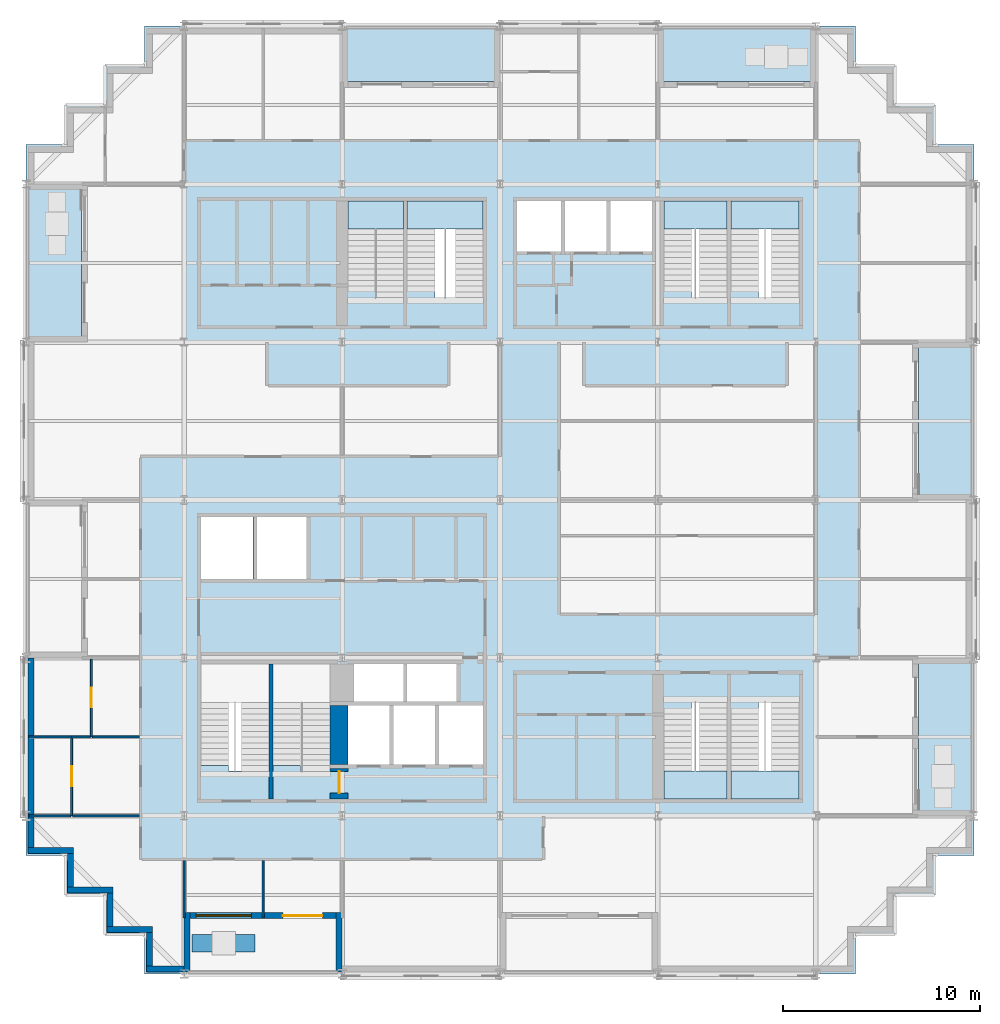
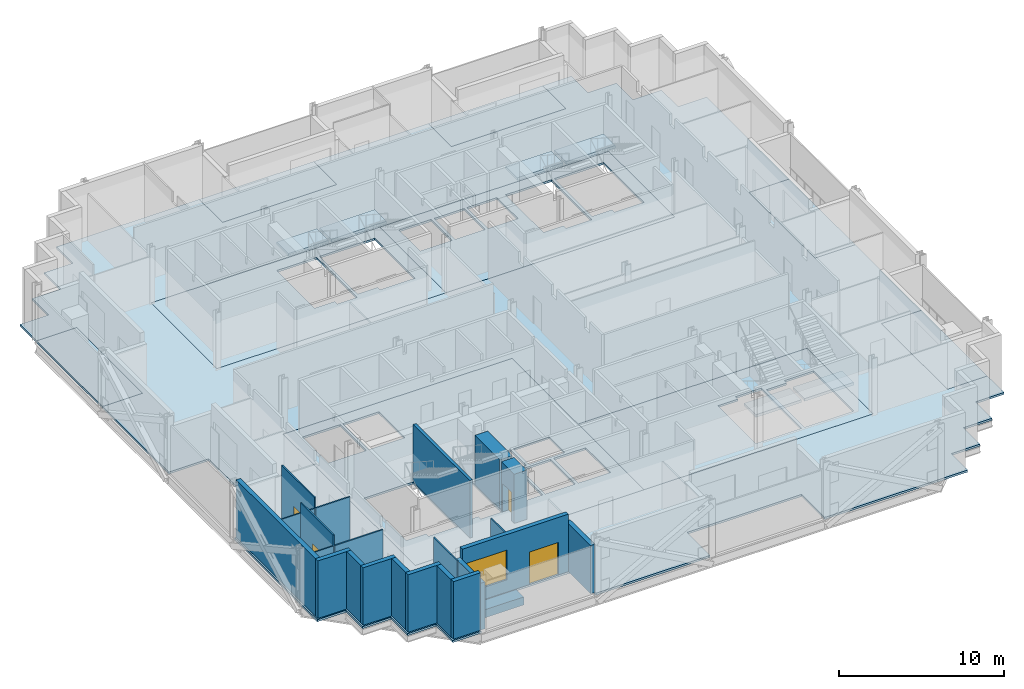
# One storey, part 5 of 15: 24 walls, 16 slabs, 4 doors, 1 window, 5 openings, 6 elements without a shape of their own.
"""IFC4 building model written with IfcOpenShell, lengths in metres."""

from ifc_helpers import new_model, si_unit, direction, frame, frame_2d, origin, place, context, subcontext, project, spatial, polyline, rectangle, outline, extrude, material, layer, layer_set, type_object, element, fill, aggregate, save


model = new_model("IFC4")

# Units and contexts
model_context = context("Model", 3, precision=1e-05, world=origin(), true_north=direction((0.0, 1.0)))
body_context = subcontext(model_context, "Body", "Model", "MODEL_VIEW")
ifc_project = project(units=[si_unit("LENGTHUNIT", "METRE"), si_unit("AREAUNIT", "SQUARE_METRE"), si_unit("VOLUMEUNIT", "CUBIC_METRE"), si_unit("PLANEANGLEUNIT", "RADIAN"), si_unit("MASSUNIT", "GRAM", prefix="KILO")], contexts=[model_context])

# Site, building, storey
site_placement = place(None, origin())
site = spatial("IfcSite", under=ifc_project, at=site_placement, CompositionType="ELEMENT")
building_placement = place(site_placement, origin())
building = spatial("IfcBuilding", under=site, at=building_placement, Name="Immortelle Media Tower", CompositionType="ELEMENT")
storey_placement = place(building_placement, frame((0.0, 0.0, 100.800048828125)))
storey = spatial("IfcBuildingStorey", under=building, at=storey_placement, Name="L19", CompositionType="ELEMENT", Elevation=100.800048828125)

# Slabs
ifc_material_1 = material(Name="Concrete C50/60 composite deck", Category="concrete")
ifc_layer_1 = layer(ifc_material_1, 0.14990234375)
ifc_layer_set_1 = layer_set([ifc_layer_1], Name="Concrete C50/60 composite deck")
slab_type_1 = type_object("IfcSlabType", Name="Balcony slab 150", PredefinedType="FLOOR", material=ifc_layer_set_1)
slab_1_placement = place(storey_placement, frame((0.0, 0.0, -0.150146484375)))
element("IfcSlab", 1, at=slab_1_placement, inside=storey, type_object=slab_type_1, Name="Balcony slab L19 W0", PredefinedType="FLOOR", context=body_context, shape_type="SweptSolid", body=[
    extrude(outline(polyline([(2.800048828125, 32.0), (2.800048828125, 40.0), (0.0, 40.0), (0.0, 32.0), (2.800048828125, 32.0)])), origin(), (0.0, 0.0, 1.0), 0.150146484375),
])
slab_2_placement = place(storey_placement, frame((0.0, 0.0, -0.150146484375)))
element("IfcSlab", 2, at=slab_2_placement, inside=storey, type_object=slab_type_1, Name="Balcony slab L19 E0", PredefinedType="FLOOR", context=body_context, shape_type="SweptSolid", body=[
    extrude(outline(polyline([(48.0, 8.0), (48.0, 16.0), (45.199951171875, 16.0), (45.199951171875, 8.0), (48.0, 8.0)])), origin(), (0.0, 0.0, 1.0), 0.150146484375),
])
slab_3_placement = place(storey_placement, frame((0.0, 0.0, -0.150146484375)))
element("IfcSlab", 3, at=slab_3_placement, inside=storey, type_object=slab_type_1, Name="Balcony slab L19 E2", PredefinedType="FLOOR", context=body_context, shape_type="SweptSolid", body=[
    extrude(outline(polyline([(48.0, 24.0), (48.0, 32.0), (45.199951171875, 32.0), (45.199951171875, 24.0), (48.0, 24.0)])), origin(), (0.0, 0.0, 1.0), 0.150146484375),
])
slab_4_placement = place(storey_placement, frame((0.0, 0.0, -0.150146484375)))
element("IfcSlab", 4, at=slab_4_placement, inside=storey, type_object=slab_type_1, Name="Balcony slab L19 N0", PredefinedType="FLOOR", context=body_context, shape_type="SweptSolid", body=[
    extrude(outline(polyline([(40.0, 45.199951171875), (40.0, 48.0), (32.0, 48.0), (32.0, 45.199951171875), (40.0, 45.199951171875)])), origin(), (0.0, 0.0, 1.0), 0.150146484375),
])
slab_5_placement = place(storey_placement, frame((0.0, 0.0, -0.150146484375)))
element("IfcSlab", 5, at=slab_5_placement, inside=storey, type_object=slab_type_1, Name="Balcony slab L19 N2", PredefinedType="FLOOR", context=body_context, shape_type="SweptSolid", body=[
    extrude(outline(polyline([(24.0, 45.199951171875), (24.0, 48.0), (16.0, 48.0), (16.0, 45.199951171875), (24.0, 45.199951171875)])), origin(), (0.0, 0.0, 1.0), 0.150146484375),
])
ifc_material_2 = material(Name="Concrete C50/60", Category="concrete")
ifc_layer_2 = layer(ifc_material_2, 0.14990234375)
ifc_layer_set_2 = layer_set([ifc_layer_2], Name="Concrete C50/60")
slab_type_2 = type_object("IfcSlabType", Name="Composite floor slab 150", PredefinedType="FLOOR", material=ifc_layer_set_2)
slab_6_placement = place(storey_placement, frame((0.0, 0.0, -0.150146484375)))
element("IfcSlab", 6, at=slab_6_placement, inside=storey, type_object=slab_type_2, Name="Floor slab L19", PredefinedType="FLOOR", context=body_context, shape_type="SweptSolid", body=[
    extrude(outline(polyline([(6.0, 0.0), (6.0, 2.0), (4.0, 2.0), (4.0, 4.0), (2.0, 4.0), (2.0, 6.0), (0.0, 6.0), (0.0, 16.0), (2.800048828125, 16.0), (2.800048828125, 24.0), (0.0, 24.0), (0.0, 32.0), (2.800048828125, 32.0), (2.800048828125, 40.0), (0.0, 40.0), (0.0, 42.0), (2.0, 42.0), (2.0, 44.0), (4.0, 44.0), (4.0, 46.0), (6.0, 46.0), (6.0, 48.0), (16.0, 48.0), (16.0, 45.199951171875), (24.0, 45.199951171875), (24.0, 48.0), (32.0, 48.0), (32.0, 45.199951171875), (40.0, 45.199951171875), (40.0, 48.0), (42.0, 48.0), (42.0, 46.0), (44.0, 46.0), (44.0, 44.0), (46.0, 44.0), (46.0, 42.0), (48.0, 42.0), (48.0, 32.0), (45.199951171875, 32.0), (45.199951171875, 24.0), (48.0, 24.0), (48.0, 16.0), (45.199951171875, 16.0), (45.199951171875, 8.0), (48.0, 8.0), (48.0, 6.0), (46.0, 6.0), (46.0, 4.0), (44.0, 4.0), (44.0, 2.0), (42.0, 2.0), (42.0, 0.0), (32.0, 0.0), (32.0, 2.800048828125), (24.0, 2.800048828125), (24.0, 0.0), (16.0, 0.0), (16.0, 2.800048828125), (8.0, 2.800048828125), (8.0, 0.0), (6.0, 0.0)]), holes=[polyline([(24.0, 24.0), (8.0, 24.0), (8.0, 8.0), (24.0, 8.0), (40.0, 8.0), (40.0, 16.0), (24.0, 16.0), (24.0, 24.0)]), polyline([(24.0, 32.0), (40.0, 32.0), (40.0, 40.0), (24.0, 40.0), (8.0, 40.0), (8.0, 32.0), (24.0, 32.0)])]), origin(), (0.0, 0.0, 1.0), 0.150146484375),
])
ifc_layer_3 = layer(ifc_material_2, 0.14990234375)
ifc_layer_set_3 = layer_set([ifc_layer_3], Name="Concrete C50/60")
slab_type_3 = type_object("IfcSlabType", Name="Core floor slab 150", PredefinedType="FLOOR", material=ifc_layer_set_3)
slab_7_placement = place(storey_placement, frame((0.0, 0.0, -0.150146484375)))
element("IfcSlab", 7, at=slab_7_placement, inside=storey, type_object=slab_type_3, Name="Core floor SW", PredefinedType="FLOOR", context=body_context, shape_type="SweptSolid", body=[
    extrude(outline(polyline([(8.0, 8.0), (24.0, 8.0), (24.0, 24.0), (8.0, 24.0), (8.0, 8.0)]), holes=[polyline([(8.85009765625, 20.0), (11.5, 20.0), (11.5, 23.14990234375), (8.85009765625, 23.14990234375), (8.85009765625, 20.0)]), polyline([(11.699951171875, 20.0), (14.199951171875, 20.0), (14.199951171875, 23.14990234375), (11.699951171875, 23.14990234375), (11.699951171875, 20.0)]), polyline([(16.60009765625, 13.800048828125), (19.10009765625, 13.800048828125), (19.10009765625, 15.699951171875), (16.60009765625, 15.699951171875), (16.60009765625, 13.800048828125)]), polyline([(19.300048828125, 13.800048828125), (21.800048828125, 13.800048828125), (21.800048828125, 15.699951171875), (19.300048828125, 15.699951171875), (19.300048828125, 13.800048828125)]), polyline([(16.300048828125, 10.60009765625), (18.39990234375, 10.60009765625), (18.39990234375, 13.60009765625), (16.300048828125, 13.60009765625), (16.300048828125, 10.60009765625)]), polyline([(18.60009765625, 10.60009765625), (20.699951171875, 10.60009765625), (20.699951171875, 13.60009765625), (18.60009765625, 13.60009765625), (18.60009765625, 10.60009765625)]), polyline([(20.89990234375, 10.60009765625), (23.14990234375, 10.60009765625), (23.14990234375, 13.60009765625), (20.89990234375, 13.60009765625), (20.89990234375, 10.60009765625)]), polyline([(8.85009765625, 15.699951171875), (12.300048828125, 15.699951171875), (12.300048828125, 10.27001953125), (10.25, 10.27001953125), (10.25, 10.56005859375), (8.85009765625, 10.56005859375), (8.85009765625, 15.699951171875)]), polyline([(12.5, 15.699951171875), (15.39990234375, 15.699951171875), (15.39990234375, 10.27001953125), (13.89990234375, 10.27001953125), (13.89990234375, 10.56005859375), (12.5, 10.56005859375), (12.5, 15.699951171875)])]), origin(), (0.0, 0.0, 1.0), 0.150146484375),
])
slab_8_placement = place(storey_placement, frame((0.0, 0.0, -0.150146484375)))
element("IfcSlab", 8, at=slab_8_placement, inside=storey, type_object=slab_type_3, Name="Core floor SE", PredefinedType="FLOOR", context=body_context, shape_type="SweptSolid", body=[
    extrude(outline(polyline([(24.0, 8.0), (40.0, 8.0), (40.0, 16.0), (24.0, 16.0), (24.0, 8.0)]), holes=[polyline([(35.5, 13.72998046875), (35.5, 8.85009765625), (32.300048828125, 8.85009765625), (32.300048828125, 13.43994140625), (33.699951171875, 13.43994140625), (33.699951171875, 13.72998046875), (35.5, 13.72998046875)]), polyline([(39.14990234375, 13.72998046875), (39.14990234375, 8.85009765625), (35.699951171875, 8.85009765625), (35.699951171875, 13.43994140625), (37.10009765625, 13.43994140625), (37.10009765625, 13.72998046875), (39.14990234375, 13.72998046875)])]), origin(), (0.0, 0.0, 1.0), 0.150146484375),
])
slab_9_placement = place(storey_placement, frame((0.0, 0.0, -0.150146484375)))
element("IfcSlab", 9, at=slab_9_placement, inside=storey, type_object=slab_type_3, Name="Core floor NW", PredefinedType="FLOOR", context=body_context, shape_type="SweptSolid", body=[
    extrude(outline(polyline([(8.0, 32.0), (24.0, 32.0), (24.0, 40.0), (8.0, 40.0), (8.0, 32.0)]), holes=[polyline([(16.300048828125, 39.14990234375), (19.10009765625, 39.14990234375), (19.10009765625, 34.27001953125), (17.699951171875, 34.27001953125), (17.699951171875, 34.56005859375), (16.300048828125, 34.56005859375), (16.300048828125, 39.14990234375)]), polyline([(19.300048828125, 39.14990234375), (23.14990234375, 39.14990234375), (23.14990234375, 34.27001953125), (20.699951171875, 34.27001953125), (20.699951171875, 34.56005859375), (19.300048828125, 34.56005859375), (19.300048828125, 39.14990234375)])]), origin(), (0.0, 0.0, 1.0), 0.150146484375),
])
slab_10_placement = place(storey_placement, frame((0.0, 0.0, -0.150146484375)))
element("IfcSlab", 10, at=slab_10_placement, inside=storey, type_object=slab_type_3, Name="Core floor NE", PredefinedType="FLOOR", context=body_context, shape_type="SweptSolid", body=[
    extrude(outline(polyline([(24.0, 32.0), (40.0, 32.0), (40.0, 40.0), (24.0, 40.0), (24.0, 32.0)]), holes=[polyline([(24.85009765625, 36.60009765625), (27.10009765625, 36.60009765625), (27.10009765625, 39.14990234375), (24.85009765625, 39.14990234375), (24.85009765625, 36.60009765625)]), polyline([(27.300048828125, 36.60009765625), (29.39990234375, 36.60009765625), (29.39990234375, 39.14990234375), (27.300048828125, 39.14990234375), (27.300048828125, 36.60009765625)]), polyline([(29.60009765625, 36.60009765625), (31.699951171875, 36.60009765625), (31.699951171875, 39.14990234375), (29.60009765625, 39.14990234375), (29.60009765625, 36.60009765625)]), polyline([(32.300048828125, 39.14990234375), (35.5, 39.14990234375), (35.5, 34.27001953125), (33.699951171875, 34.27001953125), (33.699951171875, 34.56005859375), (32.300048828125, 34.56005859375), (32.300048828125, 39.14990234375)]), polyline([(35.699951171875, 39.14990234375), (39.14990234375, 39.14990234375), (39.14990234375, 34.27001953125), (37.10009765625, 34.27001953125), (37.10009765625, 34.56005859375), (35.699951171875, 34.56005859375), (35.699951171875, 39.14990234375)])]), origin(), (0.0, 0.0, 1.0), 0.150146484375),
])

# Stair, slab
ifc_material_3 = material(Name="Steel ASTM A992 Gr 50", Category="steel")
stair_type = type_object("IfcStairType", Name="Stair with flights", PredefinedType="DOUBLE_RETURN_STAIR", material=ifc_material_3)
stair_1_placement = place(storey_placement, origin())
stair_1 = element("IfcStair", 11, at=stair_1_placement, inside=storey, type_object=stair_type, Name="Exit stair SE1", PredefinedType="DOUBLE_RETURN_STAIR")
ifc_material_4 = material(Name="Steel ASTM A572 Gr 50", Category="steel")
ifc_layer_4 = layer(ifc_material_4, 0.199951171875)
ifc_layer_set_4 = layer_set([ifc_layer_4], Name="Steel ASTM A572 Gr 50")
slab_type_4 = type_object("IfcSlabType", Name="Stair landing 200", PredefinedType="LANDING", material=ifc_layer_set_4)
slab_11_placement = place(storey_placement, frame((0.0, 0.0, 1.911865234375)))
slab_11 = element("IfcSlab", 12, at=slab_11_placement, type_object=slab_type_4, Name="ST SE1 landing 1", PredefinedType="LANDING", context=body_context, shape_type="SweptSolid", body=[
    extrude(outline(polyline([(32.300048828125, 8.85009765625), (35.5, 8.85009765625), (35.5, 10.27001953125), (32.300048828125, 10.27001953125), (32.300048828125, 8.85009765625)])), origin(), (0.0, 0.0, 1.0), 0.2001953125),
])
aggregate(stair_1, [slab_11])

stair_2_placement = place(storey_placement, origin())
stair_2 = element("IfcStair", 13, at=stair_2_placement, inside=storey, type_object=stair_type, Name="Exit stair SE2", PredefinedType="DOUBLE_RETURN_STAIR")
slab_12_placement = place(storey_placement, frame((0.0, 0.0, 1.911865234375)))
slab_12 = element("IfcSlab", 14, at=slab_12_placement, type_object=slab_type_4, Name="ST SE2 landing 1", PredefinedType="LANDING", context=body_context, shape_type="SweptSolid", body=[
    extrude(outline(polyline([(35.699951171875, 8.85009765625), (39.14990234375, 8.85009765625), (39.14990234375, 10.27001953125), (35.699951171875, 10.27001953125), (35.699951171875, 8.85009765625)])), origin(), (0.0, 0.0, 1.0), 0.2001953125),
])
aggregate(stair_2, [slab_12])

stair_3_placement = place(storey_placement, origin())
stair_3 = element("IfcStair", 15, at=stair_3_placement, inside=storey, type_object=stair_type, Name="Exit stair NW1", PredefinedType="DOUBLE_RETURN_STAIR")
slab_13_placement = place(storey_placement, frame((0.0, 0.0, 1.911865234375)))
slab_13 = element("IfcSlab", 16, at=slab_13_placement, type_object=slab_type_4, Name="ST NW1 landing 1", PredefinedType="LANDING", context=body_context, shape_type="SweptSolid", body=[
    extrude(outline(polyline([(16.300048828125, 37.72998046875), (19.10009765625, 37.72998046875), (19.10009765625, 39.14990234375), (16.300048828125, 39.14990234375), (16.300048828125, 37.72998046875)])), origin(), (0.0, 0.0, 1.0), 0.2001953125),
])
aggregate(stair_3, [slab_13])

stair_4_placement = place(storey_placement, origin())
stair_4 = element("IfcStair", 17, at=stair_4_placement, inside=storey, type_object=stair_type, Name="Exit stair NW2", PredefinedType="DOUBLE_RETURN_STAIR")
slab_14_placement = place(storey_placement, frame((0.0, 0.0, 1.911865234375)))
slab_14 = element("IfcSlab", 18, at=slab_14_placement, type_object=slab_type_4, Name="ST NW2 landing 1", PredefinedType="LANDING", context=body_context, shape_type="SweptSolid", body=[
    extrude(outline(polyline([(19.300048828125, 37.72998046875), (23.14990234375, 37.72998046875), (23.14990234375, 39.14990234375), (19.300048828125, 39.14990234375), (19.300048828125, 37.72998046875)])), origin(), (0.0, 0.0, 1.0), 0.2001953125),
])
aggregate(stair_4, [slab_14])

stair_5_placement = place(storey_placement, origin())
stair_5 = element("IfcStair", 19, at=stair_5_placement, inside=storey, type_object=stair_type, Name="Exit stair NE1", PredefinedType="DOUBLE_RETURN_STAIR")
slab_15_placement = place(storey_placement, frame((0.0, 0.0, 1.911865234375)))
slab_15 = element("IfcSlab", 20, at=slab_15_placement, type_object=slab_type_4, Name="ST NE1 landing 1", PredefinedType="LANDING", context=body_context, shape_type="SweptSolid", body=[
    extrude(outline(polyline([(32.300048828125, 37.72998046875), (35.5, 37.72998046875), (35.5, 39.14990234375), (32.300048828125, 39.14990234375), (32.300048828125, 37.72998046875)])), origin(), (0.0, 0.0, 1.0), 0.2001953125),
])
aggregate(stair_5, [slab_15])

stair_6_placement = place(storey_placement, origin())
stair_6 = element("IfcStair", 21, at=stair_6_placement, inside=storey, type_object=stair_type, Name="Exit stair NE2", PredefinedType="DOUBLE_RETURN_STAIR")
slab_16_placement = place(storey_placement, frame((0.0, 0.0, 1.911865234375)))
slab_16 = element("IfcSlab", 22, at=slab_16_placement, type_object=slab_type_4, Name="ST NE2 landing 1", PredefinedType="LANDING", context=body_context, shape_type="SweptSolid", body=[
    extrude(outline(polyline([(35.699951171875, 37.72998046875), (39.14990234375, 37.72998046875), (39.14990234375, 39.14990234375), (35.699951171875, 39.14990234375), (35.699951171875, 37.72998046875)])), origin(), (0.0, 0.0, 1.0), 0.2001953125),
])
aggregate(stair_6, [slab_16])

# Walls
ifc_material_5 = material(Name="Pale aluminium cladding panel", Category="aluminium")
ifc_layer_5 = layer(ifc_material_5, 0.030029296875)
ifc_material_6 = material(Name="Steel ASTM A653 SS Gr 50 stud frame with mineral wool", Category="steel")
ifc_layer_6 = layer(ifc_material_6, 0.257568359375)
ifc_material_7 = material(Name="Moisture-resistant gypsum board", Category="gypsum")
ifc_layer_7 = layer(ifc_material_7, 0.012451171875)
ifc_layer_set_5 = layer_set([ifc_layer_5, ifc_layer_6, ifc_layer_7], Name="Steel ASTM A653 SS Gr 50 stud frame with mineral wool")
wall_type_1 = type_object("IfcWallType", Name="Facade wall 300", PredefinedType="SOLIDWALL", material=ifc_layer_set_5)
wall_1_placement = place(storey_placement, frame((0.25, 16.0, 0.0), z_axis=(0.0, 0.0, 1.0), x_axis=(0.0, -1.0, 0.0)))
element("IfcWall", 23, at=wall_1_placement, inside=storey, type_object=wall_type_1, Name="Facade wall L19 W0", PredefinedType="SOLIDWALL", context=body_context, shape_type="SweptSolid", body=[
    extrude(rectangle(XDim=9.60009765625, YDim=0.300048828125, at=frame_2d((4.800048828125, 0.0))), origin(), (0.0, 0.0, 1.0), 4.25),
])
wall_2_placement = place(storey_placement, frame((0.10009765625, 6.25, 0.0), z_axis=(0.0, 0.0, 1.0), x_axis=(1.0, 0.0, 0.0)))
element("IfcWall", 24, at=wall_2_placement, inside=storey, type_object=wall_type_1, Name="Facade wall L19 S1", PredefinedType="SOLIDWALL", context=body_context, shape_type="SweptSolid", body=[
    extrude(rectangle(XDim=2.2998046875, YDim=0.300048828125, at=frame_2d((1.14990234375, 0.0))), origin(), (0.0, 0.0, 1.0), 4.25),
])
wall_3_placement = place(storey_placement, frame((2.25, 6.10009765625, 0.0), z_axis=(0.0, 0.0, 1.0), x_axis=(0.0, -1.0, 0.0)))
element("IfcWall", 25, at=wall_3_placement, inside=storey, type_object=wall_type_1, Name="Facade wall L19 W2", PredefinedType="SOLIDWALL", context=body_context, shape_type="SweptSolid", body=[
    extrude(rectangle(XDim=1.7001953125, YDim=0.300048828125, at=frame_2d((0.85009765625, 0.0))), origin(), (0.0, 0.0, 1.0), 4.25),
])
wall_4_placement = place(storey_placement, frame((2.10009765625, 4.25, 0.0), z_axis=(0.0, 0.0, 1.0), x_axis=(1.0, 0.0, 0.0)))
element("IfcWall", 26, at=wall_4_placement, inside=storey, type_object=wall_type_1, Name="Facade wall L19 S3", PredefinedType="SOLIDWALL", context=body_context, shape_type="SweptSolid", body=[
    extrude(rectangle(XDim=2.2998046875, YDim=0.300048828125, at=frame_2d((1.14990234375, 0.0))), origin(), (0.0, 0.0, 1.0), 4.25),
])
wall_5_placement = place(storey_placement, frame((4.25, 4.10009765625, 0.0), z_axis=(0.0, 0.0, 1.0), x_axis=(0.0, -1.0, 0.0)))
element("IfcWall", 27, at=wall_5_placement, inside=storey, type_object=wall_type_1, Name="Facade wall L19 W4", PredefinedType="SOLIDWALL", context=body_context, shape_type="SweptSolid", body=[
    extrude(rectangle(XDim=1.7001953125, YDim=0.300048828125, at=frame_2d((0.85009765625, 0.0))), origin(), (0.0, 0.0, 1.0), 4.25),
])
wall_6_placement = place(storey_placement, frame((4.10009765625, 2.25, 0.0), z_axis=(0.0, 0.0, 1.0), x_axis=(1.0, 0.0, 0.0)))
element("IfcWall", 28, at=wall_6_placement, inside=storey, type_object=wall_type_1, Name="Facade wall L19 S5", PredefinedType="SOLIDWALL", context=body_context, shape_type="SweptSolid", body=[
    extrude(rectangle(XDim=2.2998046875, YDim=0.300048828125, at=frame_2d((1.14990234375, 0.0))), origin(), (0.0, 0.0, 1.0), 4.25),
])
wall_7_placement = place(storey_placement, frame((6.25, 2.10009765625, 0.0), z_axis=(0.0, 0.0, 1.0), x_axis=(0.0, -1.0, 0.0)))
element("IfcWall", 29, at=wall_7_placement, inside=storey, type_object=wall_type_1, Name="Facade wall L19 W6", PredefinedType="SOLIDWALL", context=body_context, shape_type="SweptSolid", body=[
    extrude(rectangle(XDim=1.7001953125, YDim=0.300048828125, at=frame_2d((0.85009765625, 0.0))), origin(), (0.0, 0.0, 1.0), 4.25),
])
wall_8_placement = place(storey_placement, frame((6.10009765625, 0.25, 0.0), z_axis=(0.0, 0.0, 1.0), x_axis=(1.0, 0.0, 0.0)))
element("IfcWall", 30, at=wall_8_placement, inside=storey, type_object=wall_type_1, Name="Facade wall L19 S7", PredefinedType="SOLIDWALL", context=body_context, shape_type="SweptSolid", body=[
    extrude(rectangle(XDim=1.89990234375, YDim=0.300048828125, at=frame_2d((0.949951171875, 0.0))), origin(), (0.0, 0.0, 1.0), 4.25),
])

# Wall, openings, door, window
wall_9_placement = place(storey_placement, frame((8.300048828125, 2.949951171875, 0.0), z_axis=(0.0, 0.0, 1.0), x_axis=(1.0, 0.0, 0.0)))
wall_9 = element("IfcWall", 31, at=wall_9_placement, inside=storey, type_object=wall_type_1, Name="Loggia wall L19 S7", PredefinedType="SOLIDWALL", context=body_context, shape_type="SweptSolid", body=[
    extrude(rectangle(XDim=7.39990234375, YDim=0.300048828125, at=frame_2d((3.699951171875, 0.0))), origin(), (0.0, 0.0, 1.0), 4.25),
])
opening_1_placement = place(wall_9_placement, frame((0.300048828125, 0.0, 0.89990234375)))
opening_1 = element("IfcOpeningElement", 32, at=opening_1_placement, cuts=wall_9, Name="Opening W1", PredefinedType="OPENING", context=body_context, shape_type="SweptSolid", body=[
    extrude(rectangle(XDim=2.800048828125, YDim=2.199951171875, at=frame_2d((1.39990234375, 1.10009765625))), frame((0.0, 0.159912109375, 0.0), z_axis=(0.0, -1.0, 0.0), x_axis=(1.0, 0.0, 0.0)), (0.0, 0.0, 1.0), 0.320068359375),
])
opening_2_placement = place(wall_9_placement, frame((4.699951171875, 0.0, 0.0)))
opening_2 = element("IfcOpeningElement", 33, at=opening_2_placement, cuts=wall_9, Name="Opening N6-E003", PredefinedType="OPENING", context=body_context, shape_type="SweptSolid", body=[
    extrude(rectangle(XDim=2.0, YDim=2.39990234375, at=frame_2d((1.0, 1.199951171875))), frame((0.0, 0.159912109375, 0.0), z_axis=(0.0, -1.0, 0.0), x_axis=(1.0, 0.0, 0.0)), (0.0, 0.0, 1.0), 0.320068359375),
])
ifc_material_8 = material(Name="Aluminium frame, glazed leaves", Category="aluminium")
door_type_1 = type_object("IfcDoorType", Name="Loggia door 2000 x 2400", OperationType="DOUBLE_DOOR_SINGLE_SWING", PredefinedType="DOOR", material=ifc_material_8)
door_1_placement = place(opening_2_placement, origin())
door_1 = element("IfcDoor", 34, at=door_1_placement, inside=storey, type_object=door_type_1, Name="Door N6-E003", OperationType="DOUBLE_DOOR_SINGLE_SWING", OverallHeight=2.39990234375, OverallWidth=2.0, PredefinedType="DOOR", context=body_context, shape_type="SweptSolid", body=[
    extrude(rectangle(XDim=2.0, YDim=2.39990234375, at=frame_2d((1.0, 1.199951171875))), frame((0.0, 0.02490234375, 0.0), z_axis=(0.0, -1.0, 0.0), x_axis=(1.0, 0.0, 0.0)), (0.0, 0.0, 1.0), 0.050048828125),
])
fill(opening_2, door_1)
ifc_material_9 = material(Name="Aluminium frame", Category="aluminium")
window_type = type_object("IfcWindowType", Name="Window 2800 x 2200", PartitioningType="SINGLE_PANEL", PredefinedType="WINDOW", material=ifc_material_9)
window_placement = place(opening_1_placement, origin())
window = element("IfcWindow", 35, at=window_placement, inside=storey, type_object=window_type, Name="Window L19 L19-R7-B0", OverallHeight=2.199951171875, OverallWidth=2.800048828125, PartitioningType="SINGLE_PANEL", PredefinedType="WINDOW", context=body_context, shape_type="SweptSolid", body=[
    extrude(rectangle(XDim=2.800048828125, YDim=2.199951171875, at=frame_2d((1.39990234375, 1.10009765625))), frame((0.0, 0.030029296875, 0.0), z_axis=(0.0, -1.0, 0.0), x_axis=(1.0, 0.0, 0.0)), (0.0, 0.0, 1.0), 0.06005859375),
])
fill(opening_1, window)

# Walls
wall_10_placement = place(storey_placement, frame((8.14990234375, 0.10009765625, 0.0), z_axis=(0.0, 0.0, 1.0), x_axis=(0.0, 1.0, 0.0)))
element("IfcWall", 36, at=wall_10_placement, inside=storey, type_object=wall_type_1, Name="Loggia cheek wall L19 S", PredefinedType="SOLIDWALL", context=body_context, shape_type="SweptSolid", body=[
    extrude(rectangle(XDim=3.0, YDim=0.300048828125, at=frame_2d((1.5, 0.0))), origin(), (0.0, 0.0, 1.0), 3.468994140625),
])
wall_11_placement = place(storey_placement, frame((15.85009765625, 0.10009765625, 0.0), z_axis=(0.0, 0.0, 1.0), x_axis=(0.0, 1.0, 0.0)))
element("IfcWall", 37, at=wall_11_placement, inside=storey, type_object=wall_type_1, Name="Loggia cheek wall L19 S", PredefinedType="SOLIDWALL", context=body_context, shape_type="SweptSolid", body=[
    extrude(rectangle(XDim=3.0, YDim=0.300048828125, at=frame_2d((1.5, 0.0))), origin(), (0.0, 0.0, 1.0), 3.555908203125),
])
ifc_material_10 = material(Name="Gypsum board", Category="gypsum")
ifc_layer_8 = layer(ifc_material_10, 0.012451171875)
ifc_layer_9 = layer(ifc_material_6, 0.074951171875)
ifc_layer_10 = layer(ifc_material_10, 0.012451171875)
ifc_layer_set_6 = layer_set([ifc_layer_8, ifc_layer_9, ifc_layer_10], Name="Steel ASTM A653 SS Gr 50 stud frame with mineral wool")
wall_type_2 = type_object("IfcWallType", Name="Partition 100", PredefinedType="PARTITIONING", material=ifc_layer_set_6)
for number, where, z_axis, x_axis, name in (
    (38, (8.0, 2.830078125, 0.0), (0.0, 0.0, 1.0), (0.0, 1.0, 0.0), "Partition L19-001"),
    (39, (12.0, 2.830078125, 0.0), (0.0, 0.0, 1.0), (0.0, 1.0, 0.0), "Partition L19-002"),
):
    element("IfcWall", number, at=place(storey_placement, frame(where, z_axis=z_axis, x_axis=x_axis)), inside=storey, type_object=wall_type_2, Name=name, PredefinedType="PARTITIONING", context=body_context, shape_type="SweptSolid", body=[
        extrude(rectangle(XDim=2.89501953125, YDim=0.10009765625, at=frame_2d((1.447509765625, 0.0))), origin(), (0.0, 0.0, 1.0), 3.469970703125),
    ])
wall_12_placement = place(storey_placement, frame((0.1298828125, 8.0, 0.0), z_axis=(0.0, 0.0, 1.0), x_axis=(1.0, 0.0, 0.0)))
element("IfcWall", 40, at=wall_12_placement, inside=storey, type_object=wall_type_2, Name="Partition L19-008", PredefinedType="PARTITIONING", context=body_context, shape_type="SweptSolid", body=[
    extrude(rectangle(XDim=2.1201171875, YDim=0.10009765625, at=frame_2d((1.06005859375, 0.0))), origin(), (0.0, 0.0, 1.0), 3.469970703125),
])
wall_13_placement = place(storey_placement, frame((2.35009765625, 8.0, 0.0), z_axis=(0.0, 0.0, 1.0), x_axis=(1.0, 0.0, 0.0)))
element("IfcWall", 41, at=wall_13_placement, inside=storey, type_object=wall_type_2, Name="Partition L19-009", PredefinedType="PARTITIONING", context=body_context, shape_type="SweptSolid", body=[
    extrude(rectangle(XDim=3.375, YDim=0.10009765625, at=frame_2d((1.6875, 0.0))), origin(), (0.0, 0.0, 1.0), 3.469970703125),
])

# Wall, opening, door
wall_14_placement = place(storey_placement, frame((2.300048828125, 8.0, 0.0), z_axis=(0.0, 0.0, 1.0), x_axis=(0.0, 1.0, 0.0)))
wall_14 = element("IfcWall", 42, at=wall_14_placement, inside=storey, type_object=wall_type_2, Name="Partition L19-010", PredefinedType="PARTITIONING", context=body_context, shape_type="SweptSolid", body=[
    extrude(rectangle(XDim=3.949951171875, YDim=0.10009765625, at=frame_2d((1.97509765625, 0.0))), origin(), (0.0, 0.0, 1.0), 4.25),
])
opening_3_placement = place(wall_14_placement, frame((1.5, 0.0, 0.0)))
opening_3 = element("IfcOpeningElement", 43, at=opening_3_placement, cuts=wall_14, Name="Opening N6-F007", PredefinedType="OPENING", context=body_context, shape_type="SweptSolid", body=[
    extrude(rectangle(XDim=1.0, YDim=2.10009765625, at=frame_2d((0.5, 1.050048828125))), frame((0.0, 0.06005859375, 0.0), z_axis=(0.0, -1.0, 0.0), x_axis=(1.0, 0.0, 0.0)), (0.0, 0.0, 1.0), 0.1201171875),
])
ifc_material_11 = material(Name="Timber veneered door leaf, galvanised steel frame ASTM A653", Category="steel")
door_type_2 = type_object("IfcDoorType", Name="Room door 1000 x 2100", OperationType="NOTDEFINED", PredefinedType="DOOR", material=ifc_material_11)
door_2_placement = place(opening_3_placement, origin())
door_2 = element("IfcDoor", 44, at=door_2_placement, inside=storey, type_object=door_type_2, Name="Door N6-F007", OperationType="SINGLE_SWING_LEFT", OverallHeight=2.10009765625, OverallWidth=1.0, PredefinedType="DOOR", context=body_context, shape_type="SweptSolid", body=[
    extrude(rectangle(XDim=1.0, YDim=2.10009765625, at=frame_2d((0.5, 1.050048828125))), frame((0.0, 0.02490234375, 0.0), z_axis=(0.0, -1.0, 0.0), x_axis=(1.0, 0.0, 0.0)), (0.0, 0.0, 1.0), 0.050048828125),
])
fill(opening_3, door_2)

# Walls
wall_15_placement = place(storey_placement, frame((0.1298828125, 12.0, 0.0), z_axis=(0.0, 0.0, 1.0), x_axis=(1.0, 0.0, 0.0)))
element("IfcWall", 45, at=wall_15_placement, inside=storey, type_object=wall_type_2, Name="Partition L19-012", PredefinedType="PARTITIONING", context=body_context, shape_type="SweptSolid", body=[
    extrude(rectangle(XDim=2.170166015625, YDim=0.10009765625, at=frame_2d((1.0849609375, 0.0))), origin(), (0.0, 0.0, 1.0), 3.469970703125),
])
wall_16_placement = place(storey_placement, frame((2.300048828125, 12.0, 0.0), z_axis=(0.0, 0.0, 1.0), x_axis=(1.0, 0.0, 0.0)))
element("IfcWall", 46, at=wall_16_placement, inside=storey, type_object=wall_type_2, Name="Partition L19-013", PredefinedType="PARTITIONING", context=body_context, shape_type="SweptSolid", body=[
    extrude(rectangle(XDim=0.949951171875, YDim=0.10009765625, at=frame_2d((0.47509765625, 0.0))), origin(), (0.0, 0.0, 1.0), 3.469970703125),
])
wall_17_placement = place(storey_placement, frame((3.35009765625, 12.0, 0.0), z_axis=(0.0, 0.0, 1.0), x_axis=(1.0, 0.0, 0.0)))
element("IfcWall", 47, at=wall_17_placement, inside=storey, type_object=wall_type_2, Name="Partition L19-014", PredefinedType="PARTITIONING", context=body_context, shape_type="SweptSolid", body=[
    extrude(rectangle(XDim=2.375, YDim=0.10009765625, at=frame_2d((1.1875, 0.0))), origin(), (0.0, 0.0, 1.0), 3.469970703125),
])

# Wall, opening, door
wall_18_placement = place(storey_placement, frame((3.300048828125, 12.0, 0.0), z_axis=(0.0, 0.0, 1.0), x_axis=(0.0, 1.0, 0.0)))
wall_18 = element("IfcWall", 48, at=wall_18_placement, inside=storey, type_object=wall_type_2, Name="Partition L19-015", PredefinedType="PARTITIONING", context=body_context, shape_type="SweptSolid", body=[
    extrude(rectangle(XDim=3.949951171875, YDim=0.10009765625, at=frame_2d((1.97509765625, 0.0))), origin(), (0.0, 0.0, 1.0), 4.25),
])
opening_4_placement = place(wall_18_placement, frame((1.5, 0.0, 0.0)))
opening_4 = element("IfcOpeningElement", 49, at=opening_4_placement, cuts=wall_18, Name="Opening N6-F009", PredefinedType="OPENING", context=body_context, shape_type="SweptSolid", body=[
    extrude(rectangle(XDim=1.0, YDim=2.10009765625, at=frame_2d((0.5, 1.050048828125))), frame((0.0, 0.06005859375, 0.0), z_axis=(0.0, -1.0, 0.0), x_axis=(1.0, 0.0, 0.0)), (0.0, 0.0, 1.0), 0.1201171875),
])
door_3_placement = place(opening_4_placement, origin())
door_3 = element("IfcDoor", 50, at=door_3_placement, inside=storey, type_object=door_type_2, Name="Door N6-F009", OperationType="SINGLE_SWING_RIGHT", OverallHeight=2.10009765625, OverallWidth=1.0, PredefinedType="DOOR", context=body_context, shape_type="SweptSolid", body=[
    extrude(rectangle(XDim=1.0, YDim=2.10009765625, at=frame_2d((0.5, 1.050048828125))), frame((0.0, 0.02490234375, 0.0), z_axis=(0.0, -1.0, 0.0), x_axis=(1.0, 0.0, 0.0)), (0.0, 0.0, 1.0), 0.050048828125),
])
fill(opening_4, door_3)

# Walls
ifc_layer_11 = layer(ifc_material_5, 0.0029296875)
ifc_material_12 = material(Name="Steel ASTM A572 Gr 50 planter shell", Category="steel")
ifc_layer_12 = layer(ifc_material_12, 0.011962890625)
ifc_material_13 = material(Name="Planting substrate", Category="soil")
ifc_layer_13 = layer(ifc_material_13, 0.873046875)
ifc_layer_14 = layer(ifc_material_12, 0.011962890625)
ifc_layer_set_7 = layer_set([ifc_layer_11, ifc_layer_12, ifc_layer_13, ifc_layer_14], Name="Steel ASTM A572 Gr 50 planter shell")
wall_type_3 = type_object("IfcWallType", Name="Planter wall 900", PredefinedType="SOLIDWALL", material=ifc_layer_set_7)
wall_19_placement = place(storey_placement, frame((8.39990234375, 1.550048828125, 0.0), z_axis=(0.0, 0.0, 1.0), x_axis=(1.0, 0.0, 0.0)))
element("IfcWall", 51, at=wall_19_placement, inside=storey, type_object=wall_type_3, Name="Planter L19 S0", PredefinedType="SOLIDWALL", context=body_context, shape_type="SweptSolid", body=[
    extrude(rectangle(XDim=3.2001953125, YDim=0.89990234375, at=frame_2d((1.60009765625, 0.0))), origin(), (0.0, 0.0, 1.0), 0.599853515625),
])
ifc_material_14 = material(Name="Concrete C60", Category="concrete")
ifc_layer_15 = layer(ifc_material_14, 0.199951171875)
ifc_layer_set_8 = layer_set([ifc_layer_15], Name="Concrete C60")
wall_type_4 = type_object("IfcWallType", Name="Stair shaft wall 200", PredefinedType="PARTITIONING", material=ifc_layer_set_8)
wall_20_placement = place(storey_placement, frame((12.39990234375, 8.85009765625, 0.0), z_axis=(0.0, 0.0, 1.0), x_axis=(0.0, 1.0, 0.0)))
element("IfcWall", 52, at=wall_20_placement, inside=storey, type_object=wall_type_4, Name="Stair shaft wall SW", PredefinedType="PARTITIONING", context=body_context, shape_type="SweptSolid", body=[
    extrude(rectangle(XDim=6.849853515625, YDim=0.199951171875, at=frame_2d((3.4248046875, 0.0))), origin(), (0.0, 0.0, 1.0), 4.25),
])

# Wall, opening, door
ifc_layer_16 = layer(ifc_material_14, 0.89990234375)
ifc_layer_set_9 = layer_set([ifc_layer_16], Name="Concrete C60")
wall_type_5 = type_object("IfcWallType", Name="Stair shaft wall 900", PredefinedType="PARTITIONING", material=ifc_layer_set_9)
wall_21_placement = place(storey_placement, frame((15.85009765625, 8.85009765625, 0.0), z_axis=(0.0, 0.0, 1.0), x_axis=(0.0, 1.0, 0.0)))
wall_21 = element("IfcWall", 53, at=wall_21_placement, inside=storey, type_object=wall_type_5, Name="Stair shaft wall SW", PredefinedType="PARTITIONING", context=body_context, shape_type="SweptSolid", body=[
    extrude(rectangle(XDim=1.5498046875, YDim=0.89990234375, at=frame_2d((0.77490234375, 0.0))), origin(), (0.0, 0.0, 1.0), 3.6318359375),
])
opening_5_placement = place(wall_21_placement, frame((0.300048828125, 0.0, 0.0)))
opening_5 = element("IfcOpeningElement", 54, at=opening_5_placement, cuts=wall_21, Name="Opening N6-K005", PredefinedType="OPENING", context=body_context, shape_type="SweptSolid", body=[
    extrude(rectangle(XDim=1.10009765625, YDim=2.10009765625, at=frame_2d((0.550048828125, 1.050048828125))), frame((0.0, 0.4599609375, 0.0), z_axis=(0.0, -1.0, 0.0), x_axis=(1.0, 0.0, 0.0)), (0.0, 0.0, 1.0), 0.919921875),
])
ifc_material_15 = material(Name="Galvanised steel door leaf and frame ASTM A653", Category="steel")
door_type_3 = type_object("IfcDoorType", Name="Stair lobby door 1100 x 2100", OperationType="NOTDEFINED", PredefinedType="NOTDEFINED", material=ifc_material_15)
door_4_placement = place(opening_5_placement, origin())
door_4 = element("IfcDoor", 55, at=door_4_placement, inside=storey, type_object=door_type_3, Name="Stair lobby N6-K005", OperationType="SINGLE_SWING_LEFT", OverallHeight=2.10009765625, OverallWidth=1.10009765625, PredefinedType="NOTDEFINED", context=body_context, shape_type="SweptSolid", body=[
    extrude(rectangle(XDim=1.10009765625, YDim=2.10009765625, at=frame_2d((0.550048828125, 1.050048828125))), frame((0.0, 0.02490234375, 0.0), z_axis=(0.0, -1.0, 0.0), x_axis=(1.0, 0.0, 0.0)), (0.0, 0.0, 1.0), 0.050048828125),
])
fill(opening_5, door_4)

# Wall
wall_22_placement = place(storey_placement, frame((15.85009765625, 10.60009765625, 0.0), z_axis=(0.0, 0.0, 1.0), x_axis=(0.0, 1.0, 0.0)))
element("IfcWall", 56, at=wall_22_placement, inside=storey, type_object=wall_type_5, Name="Stair shaft wall SW", PredefinedType="PARTITIONING", context=body_context, shape_type="SweptSolid", body=[
    extrude(rectangle(XDim=3.0, YDim=0.89990234375, at=frame_2d((1.5, 0.0))), origin(), (0.0, 0.0, 1.0), 3.6318359375),
])

save(model, "model.ifc")
